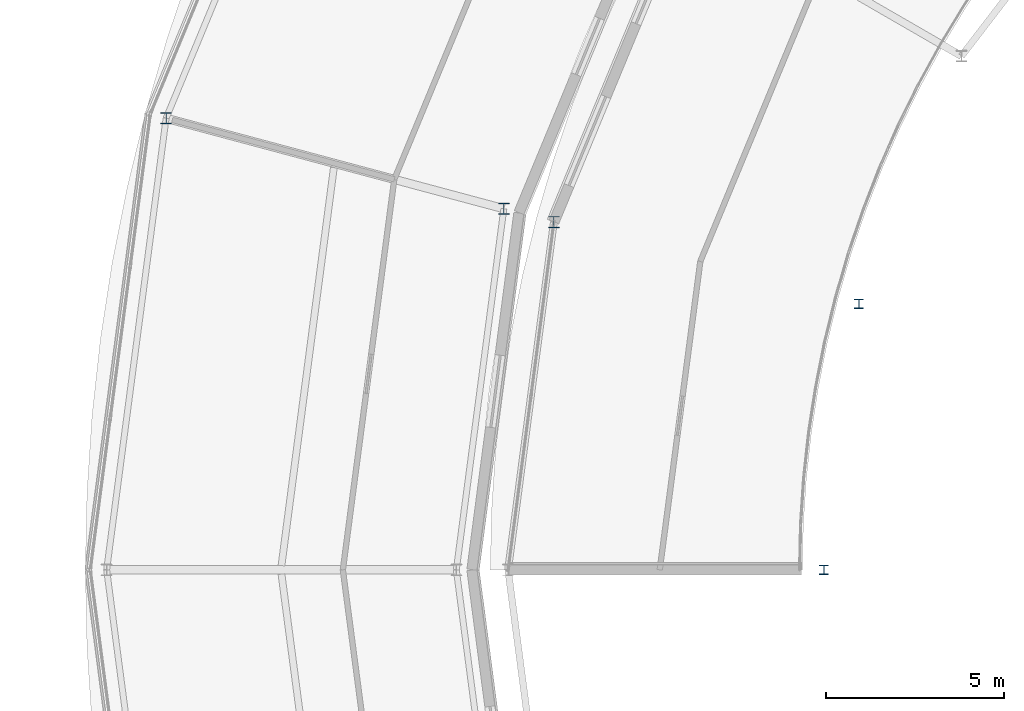
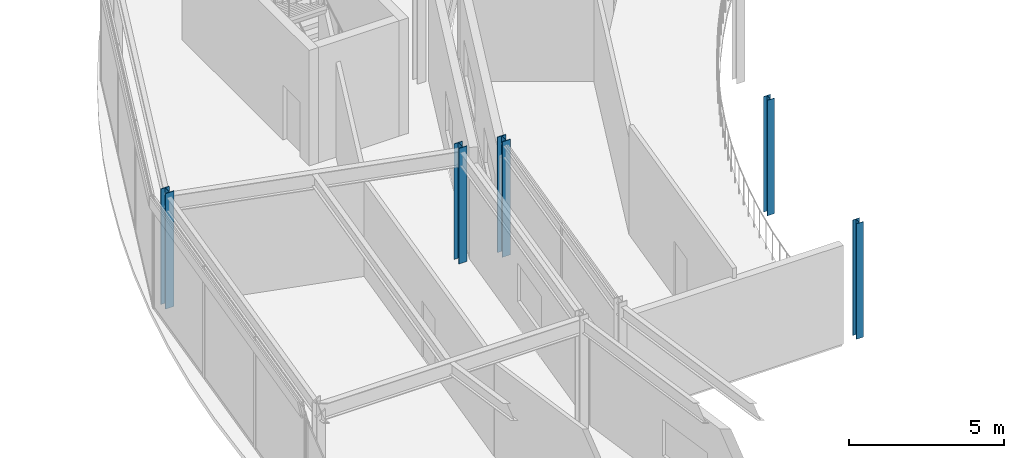
# One storey, part 4 of 133: 5 columns.
"""IFC4 building model written with IfcOpenShell, lengths in metres."""

import ifcopenshell
import ifcopenshell.guid

model = None  # the IFC model being written
_history = None  # IfcOwnerHistory: only IFC2X3 demands one
_inside = {}  # id of a spatial element -> (the spatial element, [elements in it])
_under = {}  # id of a project, library or spatial element -> (it, [spatial elements below it])
_declared = {}  # id of a project -> (the project, [libraries it declares])
_typed = {}  # id of a type object -> (the type object, [elements of that type])
_made_of = {}  # id of a material, layer set ... -> (it, [elements and type objects made of it])


def new_model(schema):
    """Start an empty IFC model of exactly this schema.

    Asked for "IFC4X3", IfcOpenShell would pick the latest addendum, in which some entities
    have other attributes; the version numbers below select the first issue.
    IFC2X3 requires an IfcOwnerHistory on every rooted entity: one is made here for all.
    """
    global model, _history
    if schema == "IFC4X3":
        model = ifcopenshell.file(schema_version=(4, 3, 0, 0))
    else:
        model = ifcopenshell.file(schema=schema)
    _inside.clear()
    _under.clear()
    _declared.clear()
    _typed.clear()
    _made_of.clear()
    _history = None
    if model.schema == "IFC2X3":
        org = make("IfcOrganization", Name="unknown")
        user = make(
            "IfcPersonAndOrganization",
            ThePerson=make("IfcPerson", FamilyName="unknown"),
            TheOrganization=org,
        )
        app = make(
            "IfcApplication",
            ApplicationDeveloper=org,
            Version="unknown",
            ApplicationFullName="unknown",
            ApplicationIdentifier="unknown",
        )
        _history = make(
            "IfcOwnerHistory",
            OwningUser=user,
            OwningApplication=app,
            ChangeAction="ADDED",
            CreationDate=0,
        )
    return model


def make(cls, **values):
    """One entity of the class cls with the attributes given. An attribute that is None is left unset."""
    return model.create_entity(
        cls, **{name: value for name, value in values.items() if value is not None}
    )


def rooted(cls, **values):
    """An entity with a GlobalId (a new one), such as an element, a storey or a relation."""
    return make(cls, GlobalId=ifcopenshell.guid.new(), OwnerHistory=_history, **values)


def si_unit(unit_type, name, prefix=None):
    """IfcSIUnit, for example si_unit("LENGTHUNIT", "METRE", prefix="MILLI")."""
    return make("IfcSIUnit", UnitType=unit_type, Prefix=prefix, Name=name)


def assignment(units):
    """IfcUnitAssignment: the units of a project."""
    return None if units is None else make("IfcUnitAssignment", Units=units)


def point(xyz):
    """IfcCartesianPoint."""
    return None if xyz is None else make("IfcCartesianPoint", Coordinates=xyz)


def direction(xyz):
    """IfcDirection."""
    return None if xyz is None else make("IfcDirection", DirectionRatios=xyz)


def frame(location, z_axis=None, x_axis=None):
    """IfcAxis2Placement3D, a coordinate frame: its origin and axes. An axis left out is left unset."""
    return make(
        "IfcAxis2Placement3D",
        Location=point(location),
        Axis=direction(z_axis),
        RefDirection=direction(x_axis),
    )


def frame_2d(location, x_axis=None):
    """IfcAxis2Placement2D, a coordinate frame in the plane: its origin and x axis."""
    return make(
        "IfcAxis2Placement2D", Location=point(location), RefDirection=direction(x_axis)
    )


def origin():
    """The frame at (0, 0, 0) with its axes left unset."""
    return frame((0.0, 0.0, 0.0))


def origin_2d():
    """The frame at (0, 0) in the plane with its x axis left unset."""
    return frame_2d((0.0, 0.0))


def place(relative_to, where):
    """IfcLocalPlacement: puts the frame where relative to a parent placement (None: the world)."""
    return make(
        "IfcLocalPlacement", PlacementRelTo=relative_to, RelativePlacement=where
    )


def context(
    kind, dimensions, precision=None, world=None, true_north=None, identifier=None
):
    """IfcGeometricRepresentationContext, for example the 3D "Model" context."""
    return make(
        "IfcGeometricRepresentationContext",
        ContextIdentifier=identifier,
        ContextType=kind,
        CoordinateSpaceDimension=dimensions,
        Precision=precision,
        WorldCoordinateSystem=world,
        TrueNorth=true_north,
    )


def subcontext(parent, identifier, kind, view, scale=None):
    """IfcGeometricRepresentationSubContext, for example "Body" below "Model"."""
    return make(
        "IfcGeometricRepresentationSubContext",
        ContextIdentifier=identifier,
        ContextType=kind,
        ParentContext=parent,
        TargetScale=scale,
        TargetView=view,
    )


def project(units=None, contexts=None):
    """IfcProject with its units and contexts."""
    return rooted(
        "IfcProject",
        Name="project",
        RepresentationContexts=contexts,
        UnitsInContext=assignment(units),
    )


def spatial(cls, under=None, at=None, **own):
    """A site, building, storey or space (cls), placed at a placement, below another one or the project."""
    s = rooted(cls, ObjectPlacement=at, **own)
    if under is not None:
        _under.setdefault(under.id(), (under, []))[1].append(s)
    return s


def profile(cls, at=None, kind="AREA", **sizes):
    """A parametric profile (cls). Its sizes go by their IFC names, for example OverallWidth=200.0."""
    return make(cls, ProfileType=kind, Position=at, **sizes)


def i_section(**sizes):
    """IfcIShapeProfileDef."""
    return profile("IfcIShapeProfileDef", **sizes)


def extrude(swept, where, along, depth):
    """IfcExtrudedAreaSolid: the profile swept, set in the frame where, extruded along a direction by depth."""
    return make(
        "IfcExtrudedAreaSolid",
        SweptArea=swept,
        Position=where,
        ExtrudedDirection=direction(along),
        Depth=depth,
    )


def shape(context_of_items, identifier, shape_type, items):
    """IfcShapeRepresentation: the items that make up one representation, for example the "Body"."""
    return make(
        "IfcShapeRepresentation",
        ContextOfItems=context_of_items,
        RepresentationIdentifier=identifier,
        RepresentationType=shape_type,
        Items=items,
    )


def material(Name=None, Category=None):
    """IfcMaterial."""
    return make("IfcMaterial", Name=Name, Category=Category)


def material_profile(
    of_material, cross_section, Name=None, Category=None, Priority=None
):
    """IfcMaterialProfile: a cross section and its material."""
    return make(
        "IfcMaterialProfile",
        Name=Name,
        Material=of_material,
        Profile=cross_section,
        Priority=Priority,
        Category=Category,
    )


def profile_set(profiles, Name=None, composite=None):
    """IfcMaterialProfileSet."""
    return make(
        "IfcMaterialProfileSet",
        Name=Name,
        MaterialProfiles=profiles,
        CompositeProfile=composite,
    )


def made_of(thing, what):
    """Note that an element or type object is made of a material, layer set ...; save() writes the relation."""
    if what is not None:
        _made_of.setdefault(what.id(), (what, []))[1].append(thing)
    return thing


def type_object(cls, material=None, **own):
    """A type object (cls), such as IfcWallType, which elements share."""
    return made_of(rooted(cls, **own), material)


def element(
    cls,
    number,
    at=None,
    inside=None,
    cuts=None,
    type_object=None,
    material=None,
    context=None,
    identifier="Body",
    shape_type=None,
    held_by="IfcProductDefinitionShape",
    body=None,
    shapes=None,
    **own,
):
    """One element of the class cls, such as IfcWall. Its Tag is "e" and its number.

    at: its placement. inside: the storey or other place that contains it. cuts: it is an
    opening in that element (IfcRelVoidsElement). A single representation is given by context,
    identifier, shape_type and body (its items); several are given by shapes. held_by: the class
    of the entity that holds the representations. save() writes the other relations.
    """
    e = rooted(cls, Tag="e%d" % number, ObjectPlacement=at, **own)
    if body is not None:
        shapes = [shape(context, identifier, shape_type, body)]
    if shapes is not None:
        e.Representation = make(held_by, Representations=shapes)
    if inside is not None:
        _inside.setdefault(inside.id(), (inside, []))[1].append(e)
    if cuts is not None:
        rooted(
            "IfcRelVoidsElement", RelatingBuildingElement=cuts, RelatedOpeningElement=e
        )
    if type_object is not None:
        _typed.setdefault(type_object.id(), (type_object, []))[1].append(e)
    return made_of(e, material)


def aggregate(whole, parts):
    """IfcRelAggregates: a whole, such as a stair, and the parts it consists of."""
    return rooted("IfcRelAggregates", RelatingObject=whole, RelatedObjects=parts)


def save(model, path):
    """Write the relations noted so far, then the file.

    IfcRelAggregates (storeys below a building ...), IfcRelContainedInSpatialStructure (elements
    in a storey), IfcRelDefinesByType, IfcRelAssociatesMaterial and IfcRelDeclares: one each for
    every whole, place, type object, material and project.
    """
    for whole, parts in _under.values():
        aggregate(whole, parts)
    for where, things in _inside.values():
        rooted(
            "IfcRelContainedInSpatialStructure",
            RelatedElements=things,
            RelatingStructure=where,
        )
    for kind, things in _typed.values():
        rooted("IfcRelDefinesByType", RelatedObjects=things, RelatingType=kind)
    for what, things in _made_of.values():
        rooted("IfcRelAssociatesMaterial", RelatedObjects=things, RelatingMaterial=what)
    for by, libraries in _declared.values():
        rooted("IfcRelDeclares", RelatingContext=by, RelatedDefinitions=libraries)
    model.write(path)


model = new_model("IFC4")

# Units and contexts
model_context = context("Model", 3, precision=1e-05, world=origin(), true_north=direction((0.0, 1.0)))
body_context = subcontext(model_context, "Body", "Model", "MODEL_VIEW")
ifc_project = project(units=[si_unit("LENGTHUNIT", "METRE"), si_unit("AREAUNIT", "SQUARE_METRE"), si_unit("VOLUMEUNIT", "CUBIC_METRE"), si_unit("PLANEANGLEUNIT", "RADIAN"), si_unit("MASSUNIT", "GRAM", prefix="KILO")], contexts=[model_context])

# Site, building, storey
site_placement = place(None, origin())
site = spatial("IfcSite", under=ifc_project, at=site_placement, CompositionType="ELEMENT")
building_placement = place(site_placement, origin())
building = spatial("IfcBuilding", under=site, at=building_placement, Name="Almandine Court Research Institute", CompositionType="ELEMENT")
storey_placement = place(building_placement, frame((0.0, 0.0, 9.800048828125)))
storey = spatial("IfcBuildingStorey", under=building, at=storey_placement, Name="L02", CompositionType="ELEMENT", Elevation=9.800048828125)

# Columns
ifc_material = material(Name="Steel ASTM A992 Grade 50", Category="steel")
ifc_material_profile_1 = material_profile(ifc_material, i_section(OverallWidth=0.31005859375, OverallDepth=0.326904296875, WebThickness=0.01611328125, FlangeThickness=0.02490234375, at=origin_2d()), Name="W310x158")
ifc_profile_set_1 = profile_set([ifc_material_profile_1], Name="Steel ASTM A992 Grade 50")
column_type_1 = type_object("IfcColumnType", Name="Col-C-W06", PredefinedType="COLUMN", material=ifc_profile_set_1)
column_placement = place(storey_placement, frame((50.633056640625, 65.7451171875, 0.0), z_axis=(0.0, 0.0, 1.0), x_axis=(1.0, 0.0, 0.0)))
element("IfcColumn", 1, at=column_placement, inside=storey, type_object=column_type_1, Name="L02 V2 Column V2-OUT-S11", PredefinedType="COLUMN", context=body_context, shape_type="SweptSolid", body=[
    extrude(i_section(OverallWidth=0.31005859375, OverallDepth=0.326904296875, WebThickness=0.01611328125, FlangeThickness=0.02490234375, at=origin_2d()), origin(), (0.0, 0.0, 1.0), 4.550048828125),
])
ifc_material_profile_2 = material_profile(ifc_material, i_section(OverallWidth=0.31005859375, OverallDepth=0.326904296875, WebThickness=0.01611328125, FlangeThickness=0.02490234375, at=origin_2d()), Name="W310x158")
ifc_profile_set_2 = profile_set([ifc_material_profile_2], Name="Steel ASTM A992 Grade 50")
column_type_2 = type_object("IfcColumnType", Name="Col-C-W06-E", PredefinedType="COLUMN", material=ifc_profile_set_2)
for number, where, z_axis, x_axis, name in (
    (2, (49.23193359375, 66.1201171875, 0.0), (0.0, 0.0, 1.0), (1.0, 0.0, 0.0), "L02 V5 Column V5-IN-S11"),
    (3, (39.76611328125, 68.656005859375, 0.0), (0.0, 0.0, 1.0), (1.0, 0.0, 0.0), "L02 V5 Column V5-OUT-S11"),
):
    element("IfcColumn", number, at=place(storey_placement, frame(where, z_axis=z_axis, x_axis=x_axis)), inside=storey, type_object=column_type_2, Name=name, PredefinedType="COLUMN", context=body_context, shape_type="SweptSolid", body=[
        extrude(i_section(OverallWidth=0.31005859375, OverallDepth=0.326904296875, WebThickness=0.01611328125, FlangeThickness=0.02490234375, at=origin_2d()), origin(), (0.0, 0.0, 1.0), 4.550048828125),
    ])
ifc_material_profile_3 = material_profile(ifc_material, i_section(OverallWidth=0.257080078125, OverallDepth=0.263916015625, WebThickness=0.011962890625, FlangeThickness=0.02001953125, at=origin_2d()), Name="W250x101")
ifc_profile_set_3 = profile_set([ifc_material_profile_3], Name="Steel ASTM A992 Grade 50")
column_type_3 = type_object("IfcColumnType", Name="Col-C-W09", PredefinedType="COLUMN", material=ifc_profile_set_3)
for number, where, z_axis, x_axis, name in (
    (4, (59.180908203125, 63.4541015625, 0.0), (0.0, 0.0, 1.0), (1.0, 0.0, 0.0), "L02 V2 Column V2-MID-S11"),
    (5, (58.199951171875, 56.0, 0.0), (0.0, 0.0, 1.0), (1.0, 0.0, 0.0), "L02 V2 Column V2-MID-S12"),
):
    element("IfcColumn", number, at=place(storey_placement, frame(where, z_axis=z_axis, x_axis=x_axis)), inside=storey, type_object=column_type_3, Name=name, PredefinedType="COLUMN", context=body_context, shape_type="SweptSolid", body=[
        extrude(i_section(OverallWidth=0.257080078125, OverallDepth=0.263916015625, WebThickness=0.011962890625, FlangeThickness=0.02001953125, at=origin_2d()), origin(), (0.0, 0.0, 1.0), 4.550048828125),
    ])

save(model, "model.ifc")
